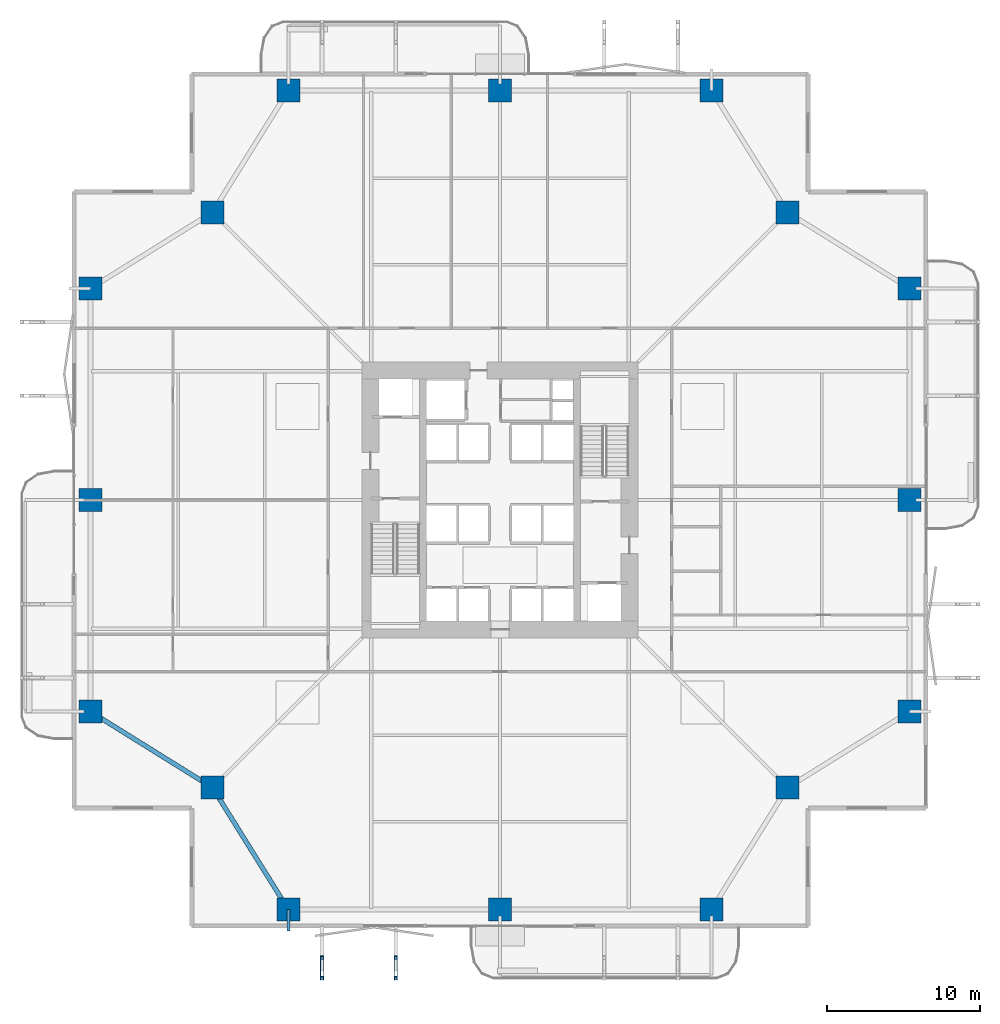
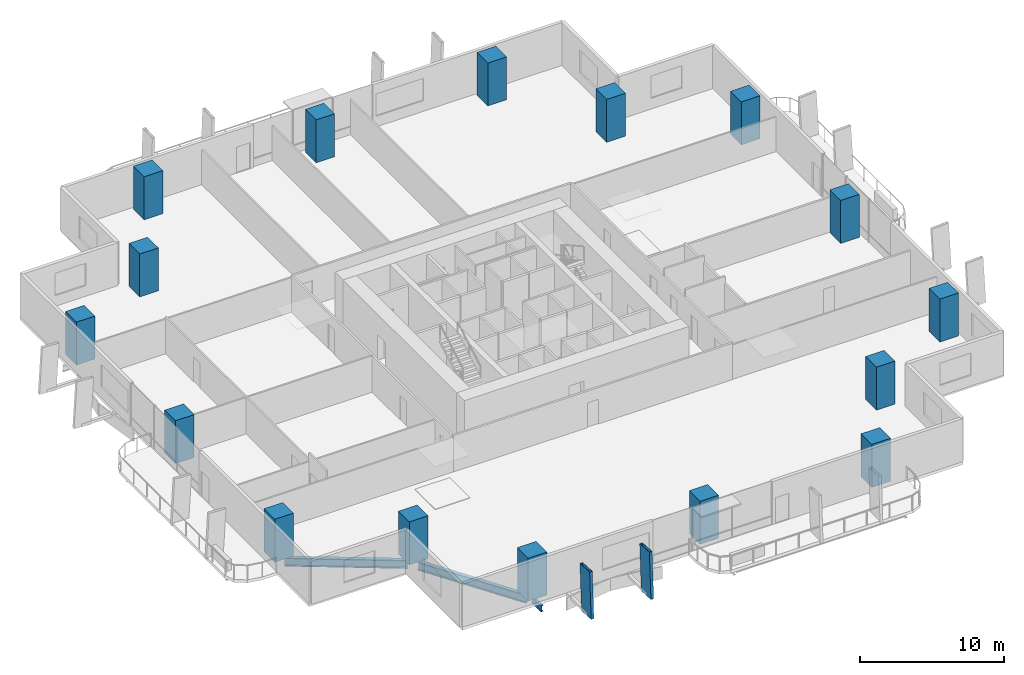
# One storey, part 1 of 24: 16 columns, 3 beams, 2 members.
"""IFC4 building model written with IfcOpenShell, lengths in metres."""

import ifcopenshell
import ifcopenshell.guid

model = None  # the IFC model being written
_history = None  # IfcOwnerHistory: only IFC2X3 demands one
_inside = {}  # id of a spatial element -> (the spatial element, [elements in it])
_under = {}  # id of a project, library or spatial element -> (it, [spatial elements below it])
_declared = {}  # id of a project -> (the project, [libraries it declares])
_typed = {}  # id of a type object -> (the type object, [elements of that type])
_made_of = {}  # id of a material, layer set ... -> (it, [elements and type objects made of it])


def new_model(schema):
    """Start an empty IFC model of exactly this schema.

    Asked for "IFC4X3", IfcOpenShell would pick the latest addendum, in which some entities
    have other attributes; the version numbers below select the first issue.
    IFC2X3 requires an IfcOwnerHistory on every rooted entity: one is made here for all.
    """
    global model, _history
    if schema == "IFC4X3":
        model = ifcopenshell.file(schema_version=(4, 3, 0, 0))
    else:
        model = ifcopenshell.file(schema=schema)
    _inside.clear()
    _under.clear()
    _declared.clear()
    _typed.clear()
    _made_of.clear()
    _history = None
    if model.schema == "IFC2X3":
        org = make("IfcOrganization", Name="unknown")
        user = make(
            "IfcPersonAndOrganization",
            ThePerson=make("IfcPerson", FamilyName="unknown"),
            TheOrganization=org,
        )
        app = make(
            "IfcApplication",
            ApplicationDeveloper=org,
            Version="unknown",
            ApplicationFullName="unknown",
            ApplicationIdentifier="unknown",
        )
        _history = make(
            "IfcOwnerHistory",
            OwningUser=user,
            OwningApplication=app,
            ChangeAction="ADDED",
            CreationDate=0,
        )
    return model


def make(cls, **values):
    """One entity of the class cls with the attributes given. An attribute that is None is left unset."""
    return model.create_entity(
        cls, **{name: value for name, value in values.items() if value is not None}
    )


def rooted(cls, **values):
    """An entity with a GlobalId (a new one), such as an element, a storey or a relation."""
    return make(cls, GlobalId=ifcopenshell.guid.new(), OwnerHistory=_history, **values)


def si_unit(unit_type, name, prefix=None):
    """IfcSIUnit, for example si_unit("LENGTHUNIT", "METRE", prefix="MILLI")."""
    return make("IfcSIUnit", UnitType=unit_type, Prefix=prefix, Name=name)


def assignment(units):
    """IfcUnitAssignment: the units of a project."""
    return None if units is None else make("IfcUnitAssignment", Units=units)


def point(xyz):
    """IfcCartesianPoint."""
    return None if xyz is None else make("IfcCartesianPoint", Coordinates=xyz)


def direction(xyz):
    """IfcDirection."""
    return None if xyz is None else make("IfcDirection", DirectionRatios=xyz)


def frame(location, z_axis=None, x_axis=None):
    """IfcAxis2Placement3D, a coordinate frame: its origin and axes. An axis left out is left unset."""
    return make(
        "IfcAxis2Placement3D",
        Location=point(location),
        Axis=direction(z_axis),
        RefDirection=direction(x_axis),
    )


def frame_2d(location, x_axis=None):
    """IfcAxis2Placement2D, a coordinate frame in the plane: its origin and x axis."""
    return make(
        "IfcAxis2Placement2D", Location=point(location), RefDirection=direction(x_axis)
    )


def origin():
    """The frame at (0, 0, 0) with its axes left unset."""
    return frame((0.0, 0.0, 0.0))


def origin_2d():
    """The frame at (0, 0) in the plane with its x axis left unset."""
    return frame_2d((0.0, 0.0))


def place(relative_to, where):
    """IfcLocalPlacement: puts the frame where relative to a parent placement (None: the world)."""
    return make(
        "IfcLocalPlacement", PlacementRelTo=relative_to, RelativePlacement=where
    )


def context(
    kind, dimensions, precision=None, world=None, true_north=None, identifier=None
):
    """IfcGeometricRepresentationContext, for example the 3D "Model" context."""
    return make(
        "IfcGeometricRepresentationContext",
        ContextIdentifier=identifier,
        ContextType=kind,
        CoordinateSpaceDimension=dimensions,
        Precision=precision,
        WorldCoordinateSystem=world,
        TrueNorth=true_north,
    )


def subcontext(parent, identifier, kind, view, scale=None):
    """IfcGeometricRepresentationSubContext, for example "Body" below "Model"."""
    return make(
        "IfcGeometricRepresentationSubContext",
        ContextIdentifier=identifier,
        ContextType=kind,
        ParentContext=parent,
        TargetScale=scale,
        TargetView=view,
    )


def project(units=None, contexts=None):
    """IfcProject with its units and contexts."""
    return rooted(
        "IfcProject",
        Name="project",
        RepresentationContexts=contexts,
        UnitsInContext=assignment(units),
    )


def spatial(cls, under=None, at=None, **own):
    """A site, building, storey or space (cls), placed at a placement, below another one or the project."""
    s = rooted(cls, ObjectPlacement=at, **own)
    if under is not None:
        _under.setdefault(under.id(), (under, []))[1].append(s)
    return s


def profile(cls, at=None, kind="AREA", **sizes):
    """A parametric profile (cls). Its sizes go by their IFC names, for example OverallWidth=200.0."""
    return make(cls, ProfileType=kind, Position=at, **sizes)


def rectangle(**sizes):
    """IfcRectangleProfileDef."""
    return profile("IfcRectangleProfileDef", **sizes)


def hollow_rectangle(**sizes):
    """IfcRectangleHollowProfileDef."""
    return profile("IfcRectangleHollowProfileDef", **sizes)


def i_section(**sizes):
    """IfcIShapeProfileDef."""
    return profile("IfcIShapeProfileDef", **sizes)


def extrude(swept, where, along, depth):
    """IfcExtrudedAreaSolid: the profile swept, set in the frame where, extruded along a direction by depth."""
    return make(
        "IfcExtrudedAreaSolid",
        SweptArea=swept,
        Position=where,
        ExtrudedDirection=direction(along),
        Depth=depth,
    )


def shape(context_of_items, identifier, shape_type, items):
    """IfcShapeRepresentation: the items that make up one representation, for example the "Body"."""
    return make(
        "IfcShapeRepresentation",
        ContextOfItems=context_of_items,
        RepresentationIdentifier=identifier,
        RepresentationType=shape_type,
        Items=items,
    )


def material(Name=None, Category=None):
    """IfcMaterial."""
    return make("IfcMaterial", Name=Name, Category=Category)


def material_profile(
    of_material, cross_section, Name=None, Category=None, Priority=None
):
    """IfcMaterialProfile: a cross section and its material."""
    return make(
        "IfcMaterialProfile",
        Name=Name,
        Material=of_material,
        Profile=cross_section,
        Priority=Priority,
        Category=Category,
    )


def profile_set(profiles, Name=None, composite=None):
    """IfcMaterialProfileSet."""
    return make(
        "IfcMaterialProfileSet",
        Name=Name,
        MaterialProfiles=profiles,
        CompositeProfile=composite,
    )


def made_of(thing, what):
    """Note that an element or type object is made of a material, layer set ...; save() writes the relation."""
    if what is not None:
        _made_of.setdefault(what.id(), (what, []))[1].append(thing)
    return thing


def type_object(cls, material=None, **own):
    """A type object (cls), such as IfcWallType, which elements share."""
    return made_of(rooted(cls, **own), material)


def element(
    cls,
    number,
    at=None,
    inside=None,
    cuts=None,
    type_object=None,
    material=None,
    context=None,
    identifier="Body",
    shape_type=None,
    held_by="IfcProductDefinitionShape",
    body=None,
    shapes=None,
    **own,
):
    """One element of the class cls, such as IfcWall. Its Tag is "e" and its number.

    at: its placement. inside: the storey or other place that contains it. cuts: it is an
    opening in that element (IfcRelVoidsElement). A single representation is given by context,
    identifier, shape_type and body (its items); several are given by shapes. held_by: the class
    of the entity that holds the representations. save() writes the other relations.
    """
    e = rooted(cls, Tag="e%d" % number, ObjectPlacement=at, **own)
    if body is not None:
        shapes = [shape(context, identifier, shape_type, body)]
    if shapes is not None:
        e.Representation = make(held_by, Representations=shapes)
    if inside is not None:
        _inside.setdefault(inside.id(), (inside, []))[1].append(e)
    if cuts is not None:
        rooted(
            "IfcRelVoidsElement", RelatingBuildingElement=cuts, RelatedOpeningElement=e
        )
    if type_object is not None:
        _typed.setdefault(type_object.id(), (type_object, []))[1].append(e)
    return made_of(e, material)


def aggregate(whole, parts):
    """IfcRelAggregates: a whole, such as a stair, and the parts it consists of."""
    return rooted("IfcRelAggregates", RelatingObject=whole, RelatedObjects=parts)


def save(model, path):
    """Write the relations noted so far, then the file.

    IfcRelAggregates (storeys below a building ...), IfcRelContainedInSpatialStructure (elements
    in a storey), IfcRelDefinesByType, IfcRelAssociatesMaterial and IfcRelDeclares: one each for
    every whole, place, type object, material and project.
    """
    for whole, parts in _under.values():
        aggregate(whole, parts)
    for where, things in _inside.values():
        rooted(
            "IfcRelContainedInSpatialStructure",
            RelatedElements=things,
            RelatingStructure=where,
        )
    for kind, things in _typed.values():
        rooted("IfcRelDefinesByType", RelatedObjects=things, RelatingType=kind)
    for what, things in _made_of.values():
        rooted("IfcRelAssociatesMaterial", RelatedObjects=things, RelatingMaterial=what)
    for by, libraries in _declared.values():
        rooted("IfcRelDeclares", RelatingContext=by, RelatedDefinitions=libraries)
    model.write(path)


model = new_model("IFC4")

# Units and contexts
model_context = context("Model", 3, precision=1e-05, world=origin(), true_north=direction((0.0, 1.0)))
body_context = subcontext(model_context, "Body", "Model", "MODEL_VIEW")
ifc_project = project(units=[si_unit("LENGTHUNIT", "METRE"), si_unit("AREAUNIT", "SQUARE_METRE"), si_unit("VOLUMEUNIT", "CUBIC_METRE"), si_unit("PLANEANGLEUNIT", "RADIAN"), si_unit("MASSUNIT", "GRAM", prefix="KILO")], contexts=[model_context])

# Site, building, storey
site_placement = place(None, origin())
site = spatial("IfcSite", under=ifc_project, at=site_placement, CompositionType="ELEMENT")
building_placement = place(site_placement, origin())
building = spatial("IfcBuilding", under=site, at=building_placement, Name="Belovzor Exchange Tower", CompositionType="ELEMENT")
storey_placement = place(building_placement, frame((0.0, 0.0, 45.60009765625)))
storey = spatial("IfcBuildingStorey", under=building, at=storey_placement, Name="L10", CompositionType="ELEMENT", Elevation=45.60009765625)

# Columns
ifc_material_1 = material(Name="Concrete C60/75", Category="concrete")
ifc_material_profile_1 = material_profile(ifc_material_1, rectangle(XDim=1.5, YDim=1.5, at=origin_2d()))
ifc_profile_set_1 = profile_set([ifc_material_profile_1], Name="Concrete C60/75")
column_type = type_object("IfcColumnType", Name="Reinforced Concrete Tower Column 1500x1500", PredefinedType="COLUMN", material=ifc_profile_set_1)
for number, where, z_axis, x_axis, name in (
    (1, (15.0, 2.10009765625, 0.0029296875), (0.0, 0.0, 1.0), (1.0, 0.0, 0.0), "COL-T150 Reinforced Concrete Tower Column 1500x1500"),
    (2, (28.800048828125, 2.10009765625, 0.0029296875), (0.0, 0.0, 1.0), (1.0, 0.0, 0.0), "COL-T150 Reinforced Concrete Tower Column 1500x1500"),
    (3, (42.60009765625, 2.10009765625, 0.0029296875), (0.0, 0.0, 1.0), (1.0, 0.0, 0.0), "COL-T150 Reinforced Concrete Tower Column 1500x1500"),
    (4, (55.5, 15.0, 0.0029296875), (0.0, 0.0, 1.0), (1.0, 0.0, 0.0), "COL-T150 Reinforced Concrete Tower Column 1500x1500"),
    (5, (55.5, 28.800048828125, 0.0029296875), (0.0, 0.0, 1.0), (1.0, 0.0, 0.0), "COL-T150 Reinforced Concrete Tower Column 1500x1500"),
    (6, (55.5, 42.60009765625, 0.0029296875), (0.0, 0.0, 1.0), (1.0, 0.0, 0.0), "COL-T150 Reinforced Concrete Tower Column 1500x1500"),
    (7, (42.60009765625, 55.5, 0.0029296875), (0.0, 0.0, 1.0), (1.0, 0.0, 0.0), "COL-T150 Reinforced Concrete Tower Column 1500x1500"),
    (8, (28.800048828125, 55.5, 0.0029296875), (0.0, 0.0, 1.0), (1.0, 0.0, 0.0), "COL-T150 Reinforced Concrete Tower Column 1500x1500"),
    (9, (15.0, 55.5, 0.0029296875), (0.0, 0.0, 1.0), (1.0, 0.0, 0.0), "COL-T150 Reinforced Concrete Tower Column 1500x1500"),
    (10, (2.10009765625, 42.60009765625, 0.0029296875), (0.0, 0.0, 1.0), (1.0, 0.0, 0.0), "COL-T150 Reinforced Concrete Tower Column 1500x1500"),
    (11, (2.10009765625, 28.800048828125, 0.0029296875), (0.0, 0.0, 1.0), (1.0, 0.0, 0.0), "COL-T150 Reinforced Concrete Tower Column 1500x1500"),
    (12, (2.10009765625, 15.0, 0.0029296875), (0.0, 0.0, 1.0), (1.0, 0.0, 0.0), "COL-T150 Reinforced Concrete Tower Column 1500x1500"),
    (13, (10.050048828125, 10.050048828125, 0.0029296875), (0.0, 0.0, 1.0), (1.0, 0.0, 0.0), "COL-T150 Reinforced Concrete Tower Column 1500x1500"),
    (14, (47.550048828125, 10.050048828125, 0.0029296875), (0.0, 0.0, 1.0), (1.0, 0.0, 0.0), "COL-T150 Reinforced Concrete Tower Column 1500x1500"),
    (15, (47.550048828125, 47.550048828125, 0.0029296875), (0.0, 0.0, 1.0), (1.0, 0.0, 0.0), "COL-T150 Reinforced Concrete Tower Column 1500x1500"),
    (16, (10.050048828125, 47.550048828125, 0.0029296875), (0.0, 0.0, 1.0), (1.0, 0.0, 0.0), "COL-T150 Reinforced Concrete Tower Column 1500x1500"),
):
    element("IfcColumn", number, at=place(storey_placement, frame(where, z_axis=z_axis, x_axis=x_axis)), inside=storey, type_object=column_type, Name=name, PredefinedType="COLUMN", context=body_context, shape_type="SweptSolid", body=[
        extrude(rectangle(XDim=1.5, YDim=1.5, at=origin_2d()), origin(), (0.0, 0.0, 1.0), 3.64404296875),
    ])

# Members
ifc_material_2 = material(Name="Extruded Architectural Terracotta on Steel S355 Carrier", Category="masonry")
ifc_material_profile_2 = material_profile(ifc_material_2, hollow_rectangle(XDim=0.219970703125, YDim=1.35009765625, WallThickness=0.013916015625, at=origin_2d()))
ifc_profile_set_2 = profile_set([ifc_material_profile_2], Name="Extruded Architectural Terracotta on Steel S355 Carrier")
member_type = type_object("IfcMemberType", Name="Base Arc Sweeping Terracotta Pylon Fin 1450", PredefinedType="USERDEFINED", material=ifc_profile_set_2)
for number, where, z_axis, x_axis, name in (
    (17, (17.199951171875, -1.821044921875, -0.25), (0.0, 0.057124545683, 0.998367059894), (-1.0, 0.0, 0.0), "FIN-TC145 Terracotta Facade Fin L10 S1"),
    (18, (22.0, -1.821044921875, -0.25), (0.0, 0.057124545683, 0.998367059894), (-1.0, 0.0, 0.0), "FIN-TC145 Terracotta Facade Fin L10 S2"),
):
    element("IfcMember", number, at=place(storey_placement, frame(where, z_axis=z_axis, x_axis=x_axis)), inside=storey, type_object=member_type, Name=name, ObjectType="FIN", PredefinedType="USERDEFINED", context=body_context, shape_type="SweptSolid", body=[
        extrude(hollow_rectangle(XDim=0.219970703125, YDim=1.35009765625, WallThickness=0.013916015625, at=origin_2d()), origin(), (0.0, 0.0, 1.0), 3.90625),
    ])

# Beams
ifc_material_3 = material(Name="Steel S355", Category="steel")
ifc_material_profile_3 = material_profile(ifc_material_3, i_section(OverallWidth=0.199951171875, OverallDepth=0.5, WebThickness=0.01025390625, FlangeThickness=0.01611328125, at=origin_2d()))
ifc_profile_set_3 = profile_set([ifc_material_profile_3], Name="Steel S355")
beam_type_1 = type_object("IfcBeamType", Name="Planted Balcony Cantilever Beam IPE 500", PredefinedType="BEAM", material=ifc_profile_set_3)
beam_placement = place(storey_placement, frame((15.0, 2.10009765625, -0.5), z_axis=(0.0, -1.0, 0.0), x_axis=(1.0, 0.0, 0.0)))
element("IfcBeam", 19, at=beam_placement, inside=storey, type_object=beam_type_1, Name="BC-500 Planted Balcony Cantilever Beam IPE 500", PredefinedType="BEAM", context=body_context, shape_type="SweptSolid", body=[
    extrude(i_section(OverallWidth=0.199951171875, OverallDepth=0.5, WebThickness=0.01025390625, FlangeThickness=0.01611328125, at=origin_2d()), origin(), (0.0, 0.0, 1.0), 1.400146484375),
])
ifc_material_4 = material(Name="Steel S355", Category="steel")
ifc_material_profile_4 = material_profile(ifc_material_4, i_section(OverallWidth=0.300048828125, OverallDepth=0.699951171875, WebThickness=0.01708984375, FlangeThickness=0.031982421875, at=origin_2d()))
ifc_profile_set_4 = profile_set([ifc_material_profile_4], Name="Steel S355")
beam_type_2 = type_object("IfcBeamType", Name="Zone 1 Primary Perimeter Girder HEB 700", PredefinedType="BEAM", material=ifc_profile_set_4)
for number, where, z_axis, x_axis, name in (
    (20, (10.26806640625, 9.699951171875, -0.60009765625), (0.528538629686, -0.848909251292, 0.0), (0.848909251292, 0.528538629686, 0.0), "FG-Z1 Zone 1 Primary Perimeter Girder HEB 700"),
    (21, (2.449951171875, 14.781982421875, -0.60009765625), (0.848909251292, -0.528538629686, 0.0), (0.528538629686, 0.848909251292, 0.0), "FG-Z1 Zone 1 Primary Perimeter Girder HEB 700"),
):
    element("IfcBeam", number, at=place(storey_placement, frame(where, z_axis=z_axis, x_axis=x_axis)), inside=storey, type_object=beam_type_2, Name=name, PredefinedType="BEAM", context=body_context, shape_type="SweptSolid", body=[
        extrude(i_section(OverallWidth=0.300048828125, OverallDepth=0.699951171875, WebThickness=0.01708984375, FlangeThickness=0.031982421875, at=origin_2d()), origin(), (0.0, 0.0, 1.0), 8.540283203125),
    ])

save(model, "model.ifc")
